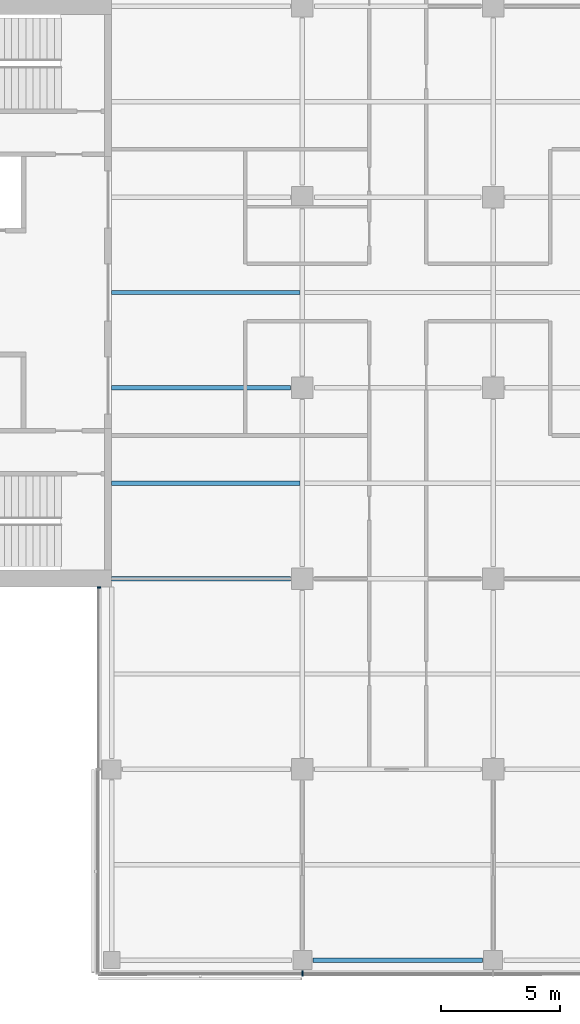
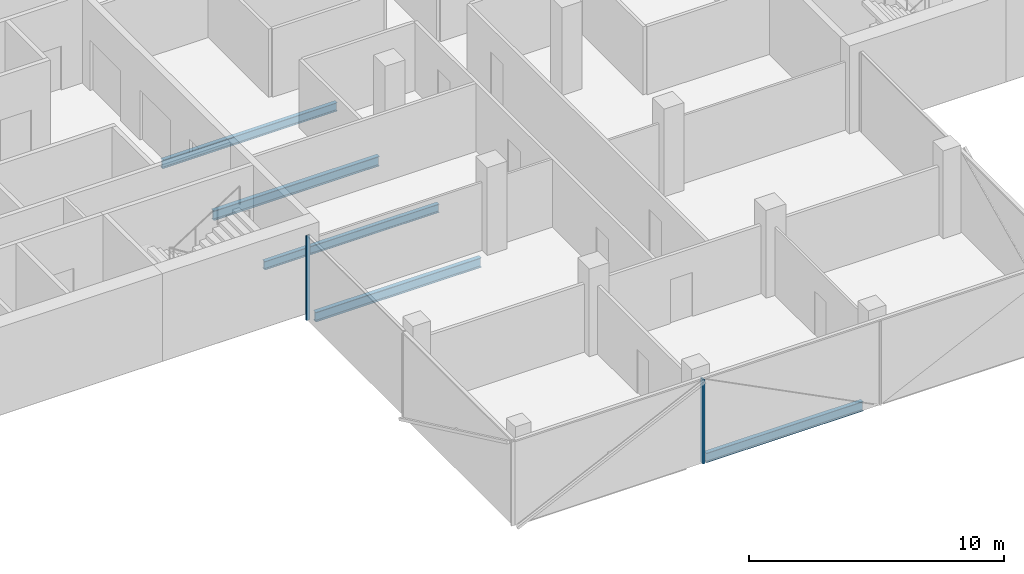
# One storey, part 4 of 22: 5 beams, 2 members, 2 elements without a shape of their own.
"""IFC4 building model written with IfcOpenShell, lengths in metres."""

from ifc_helpers import new_model, si_unit, direction, frame, origin, origin_2d, place, context, subcontext, project, spatial, rectangle, i_section, extrude, material, material_profile, profile_set, type_object, element, aggregate, save


model = new_model("IFC4")

# Units and contexts
model_context = context("Model", 3, precision=1e-05, world=origin(), true_north=direction((0.0, 1.0)))
body_context = subcontext(model_context, "Body", "Model", "MODEL_VIEW")
ifc_project = project(units=[si_unit("LENGTHUNIT", "METRE"), si_unit("AREAUNIT", "SQUARE_METRE"), si_unit("VOLUMEUNIT", "CUBIC_METRE"), si_unit("PLANEANGLEUNIT", "RADIAN"), si_unit("MASSUNIT", "GRAM", prefix="KILO")], contexts=[model_context])

# Site, building, storey
site_placement = place(None, origin())
site = spatial("IfcSite", under=ifc_project, at=site_placement, CompositionType="ELEMENT")
building_placement = place(site_placement, origin())
building = spatial("IfcBuilding", under=site, at=building_placement, Name="Crosswind Convention Tower", CompositionType="ELEMENT")
storey_placement = place(building_placement, frame((0.0, 0.0, 167.300048828125)))
storey = spatial("IfcBuildingStorey", under=building, at=storey_placement, Name="L35", CompositionType="ELEMENT", Elevation=167.300048828125)

# Beams
ifc_material_1 = material(Name="Steel S355", Category="steel")
ifc_material_profile_1 = material_profile(ifc_material_1, i_section(OverallWidth=0.18994140625, OverallDepth=0.45361328125, WebThickness=0.008544921875, FlangeThickness=0.0126953125, FilletRadius=0.01025390625, at=origin_2d()), Name="UB 457x191x67")
ifc_profile_set_1 = profile_set([ifc_material_profile_1], Name="Steel S355")
beam_type_1 = type_object("IfcBeamType", Name="Edge beam UB 457x191x67", PredefinedType="SPANDREL", material=ifc_profile_set_1)
beam_placement = place(storey_placement, frame((121.449951171875, 72.0, -0.52685546875), z_axis=(1.0, 0.0, 0.0), x_axis=(0.0, 1.0, 0.0)))
element("IfcBeam", 1, at=beam_placement, inside=storey, type_object=beam_type_1, Name="B16 L35 edge beam 12", PredefinedType="SPANDREL", context=body_context, shape_type="SweptSolid", body=[
    extrude(i_section(OverallWidth=0.18994140625, OverallDepth=0.45361328125, WebThickness=0.008544921875, FlangeThickness=0.0126953125, FilletRadius=0.01025390625, at=origin_2d()), origin(), (0.0, 0.0, 1.0), 7.10009765625),
])
ifc_material_profile_2 = material_profile(ifc_material_1, i_section(OverallWidth=0.19189453125, OverallDepth=0.463623046875, WebThickness=0.010498046875, FlangeThickness=0.017578125, FilletRadius=0.01025390625, at=origin_2d()), Name="UB 457x191x90")
ifc_profile_set_2 = profile_set([ifc_material_profile_2], Name="Steel S355")
beam_type_2 = type_object("IfcBeamType", Name="Girder at core wall UB 457x191x90", PredefinedType="BEAM", material=ifc_profile_set_2)
for number, where, z_axis, x_axis, name in (
    (2, (113.0, 88.0, -0.53173828125), (1.0, 0.0, 0.0), (0.0, 1.0, 0.0), "B24 L35 girder at core wall 3"),
    (3, (113.0, 96.0, -0.53173828125), (1.0, 0.0, 0.0), (0.0, 1.0, 0.0), "B24 L35 girder at core wall 4"),
):
    element("IfcBeam", number, at=place(storey_placement, frame(where, z_axis=z_axis, x_axis=x_axis)), inside=storey, type_object=beam_type_2, Name=name, PredefinedType="BEAM", context=body_context, shape_type="SweptSolid", body=[
        extrude(i_section(OverallWidth=0.19189453125, OverallDepth=0.463623046875, WebThickness=0.010498046875, FlangeThickness=0.017578125, FilletRadius=0.01025390625, at=origin_2d()), origin(), (0.0, 0.0, 1.0), 7.5),
    ])

# Curtain wall, member
ifc_material_2 = material(Name="Aluminium unitised curtain wall", Category="aluminium")
curtain_wall_type_1 = type_object("IfcCurtainWallType", Name="CORE END SLOT WALL 160", PredefinedType="USERDEFINED", material=ifc_material_2)
curtain_wall_1_placement = place(storey_placement, origin())
curtain_wall_1 = element("IfcCurtainWall", 4, at=curtain_wall_1_placement, inside=storey, type_object=curtain_wall_type_1, Name="CW6 L35 S-W.1-1 slot", ObjectType="UNITISED", PredefinedType="USERDEFINED")
ifc_material_3 = material(Name="Aluminium mullion", Category="aluminium")
ifc_material_profile_3 = material_profile(ifc_material_3, rectangle(XDim=0.159912109375, YDim=0.050048828125, at=origin_2d()), Name="AL 160X50")
ifc_profile_set_3 = profile_set([ifc_material_profile_3], Name="Aluminium mullion")
member_type_1 = type_object("IfcMemberType", Name="MULLION 50X160", PredefinedType="MULLION", material=ifc_profile_set_3)
member_1_placement = place(storey_placement, frame((112.469970703125, 87.625, -0.300048828125), z_axis=(0.0, 0.0, 1.0), x_axis=(-1.0, 0.0, 0.0)))
member_1 = element("IfcMember", 5, at=member_1_placement, type_object=member_type_1, Name="CW6 mullion 1", PredefinedType="MULLION", context=body_context, shape_type="SweptSolid", body=[
    extrude(rectangle(XDim=0.159912109375, YDim=0.050048828125, at=origin_2d()), origin(), (0.0, 0.0, 1.0), 4.050048828125),
])
aggregate(curtain_wall_1, [member_1])

curtain_wall_type_2 = type_object("IfcCurtainWallType", Name="OFFICE UNITISED WALL 220", PredefinedType="USERDEFINED", material=ifc_material_2)
curtain_wall_2_placement = place(storey_placement, origin())
curtain_wall_2 = element("IfcCurtainWall", 6, at=curtain_wall_2_placement, inside=storey, type_object=curtain_wall_type_2, Name="CW3 L35 S-TIP 1", ObjectType="UNITISED", PredefinedType="USERDEFINED")
ifc_material_profile_4 = material_profile(ifc_material_3, rectangle(XDim=0.219970703125, YDim=0.070068359375, at=origin_2d()), Name="AL 220X70")
ifc_profile_set_4 = profile_set([ifc_material_profile_4], Name="Aluminium mullion")
member_type_2 = type_object("IfcMemberType", Name="MULLION 70X220", PredefinedType="MULLION", material=ifc_profile_set_4)
member_2_placement = place(storey_placement, frame((121.0, 71.43994140625, -0.300048828125), z_axis=(0.0, 0.0, 1.0), x_axis=(0.0, -1.0, 0.0)))
member_2 = element("IfcMember", 7, at=member_2_placement, type_object=member_type_2, Name="CW3 mullion 2", PredefinedType="MULLION", context=body_context, shape_type="SweptSolid", body=[
    extrude(rectangle(XDim=0.219970703125, YDim=0.070068359375, at=origin_2d()), origin(), (0.0, 0.0, 1.0), 4.030029296875),
])
aggregate(curtain_wall_2, [member_2])

# Beams
ifc_material_profile_5 = material_profile(ifc_material_1, i_section(OverallWidth=0.177734375, OverallDepth=0.406494140625, WebThickness=0.0078125, FlangeThickness=0.0126953125, FilletRadius=0.01025390625, at=origin_2d()), Name="UB 406x178x60")
ifc_profile_set_5 = profile_set([ifc_material_profile_5], Name="Steel S355")
beam_type_3 = type_object("IfcBeamType", Name="Secondary beam UB 406x178x60", PredefinedType="JOIST", material=ifc_profile_set_5)
for number, where, z_axis, x_axis, name in (
    (8, (113.0, 92.0, -0.503173828125), (1.0, 0.0, 0.0), (0.0, 1.0, 0.0), "B10 L35 secondary beam 4"),
    (9, (113.0, 100.0, -0.503173828125), (1.0, 0.0, 0.0), (0.0, 1.0, 0.0), "B10 L35 secondary beam 5"),
):
    element("IfcBeam", number, at=place(storey_placement, frame(where, z_axis=z_axis, x_axis=x_axis)), inside=storey, type_object=beam_type_3, Name=name, PredefinedType="JOIST", context=body_context, shape_type="SweptSolid", body=[
        extrude(i_section(OverallWidth=0.177734375, OverallDepth=0.406494140625, WebThickness=0.0078125, FlangeThickness=0.0126953125, FilletRadius=0.01025390625, at=origin_2d()), origin(), (0.0, 0.0, 1.0), 7.904296875),
    ])

save(model, "model.ifc")
